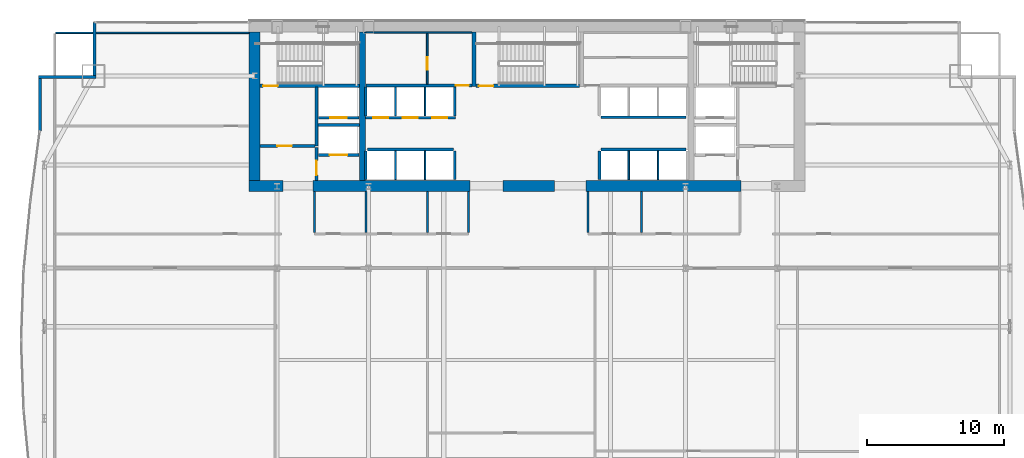
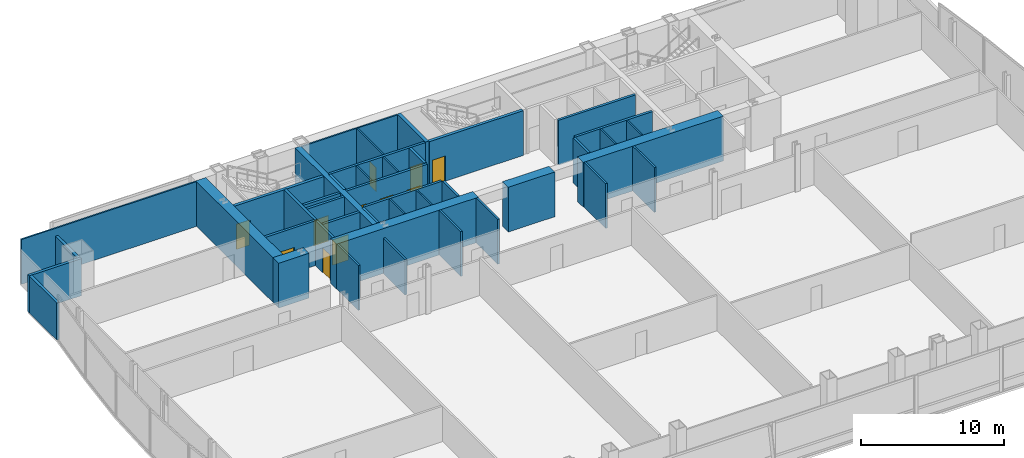
# One storey, part 30 of 35: 43 walls, 11 doors, 11 openings.
"""IFC4 building model written with IfcOpenShell, lengths in metres."""

import ifcopenshell
import ifcopenshell.guid

model = None  # the IFC model being written
_history = None  # IfcOwnerHistory: only IFC2X3 demands one
_inside = {}  # id of a spatial element -> (the spatial element, [elements in it])
_under = {}  # id of a project, library or spatial element -> (it, [spatial elements below it])
_declared = {}  # id of a project -> (the project, [libraries it declares])
_typed = {}  # id of a type object -> (the type object, [elements of that type])
_made_of = {}  # id of a material, layer set ... -> (it, [elements and type objects made of it])


def new_model(schema):
    """Start an empty IFC model of exactly this schema.

    Asked for "IFC4X3", IfcOpenShell would pick the latest addendum, in which some entities
    have other attributes; the version numbers below select the first issue.
    IFC2X3 requires an IfcOwnerHistory on every rooted entity: one is made here for all.
    """
    global model, _history
    if schema == "IFC4X3":
        model = ifcopenshell.file(schema_version=(4, 3, 0, 0))
    else:
        model = ifcopenshell.file(schema=schema)
    _inside.clear()
    _under.clear()
    _declared.clear()
    _typed.clear()
    _made_of.clear()
    _history = None
    if model.schema == "IFC2X3":
        org = make("IfcOrganization", Name="unknown")
        user = make(
            "IfcPersonAndOrganization",
            ThePerson=make("IfcPerson", FamilyName="unknown"),
            TheOrganization=org,
        )
        app = make(
            "IfcApplication",
            ApplicationDeveloper=org,
            Version="unknown",
            ApplicationFullName="unknown",
            ApplicationIdentifier="unknown",
        )
        _history = make(
            "IfcOwnerHistory",
            OwningUser=user,
            OwningApplication=app,
            ChangeAction="ADDED",
            CreationDate=0,
        )
    return model


def make(cls, **values):
    """One entity of the class cls with the attributes given. An attribute that is None is left unset."""
    return model.create_entity(
        cls, **{name: value for name, value in values.items() if value is not None}
    )


def rooted(cls, **values):
    """An entity with a GlobalId (a new one), such as an element, a storey or a relation."""
    return make(cls, GlobalId=ifcopenshell.guid.new(), OwnerHistory=_history, **values)


def si_unit(unit_type, name, prefix=None):
    """IfcSIUnit, for example si_unit("LENGTHUNIT", "METRE", prefix="MILLI")."""
    return make("IfcSIUnit", UnitType=unit_type, Prefix=prefix, Name=name)


def assignment(units):
    """IfcUnitAssignment: the units of a project."""
    return None if units is None else make("IfcUnitAssignment", Units=units)


def point(xyz):
    """IfcCartesianPoint."""
    return None if xyz is None else make("IfcCartesianPoint", Coordinates=xyz)


def direction(xyz):
    """IfcDirection."""
    return None if xyz is None else make("IfcDirection", DirectionRatios=xyz)


def frame(location, z_axis=None, x_axis=None):
    """IfcAxis2Placement3D, a coordinate frame: its origin and axes. An axis left out is left unset."""
    return make(
        "IfcAxis2Placement3D",
        Location=point(location),
        Axis=direction(z_axis),
        RefDirection=direction(x_axis),
    )


def frame_2d(location, x_axis=None):
    """IfcAxis2Placement2D, a coordinate frame in the plane: its origin and x axis."""
    return make(
        "IfcAxis2Placement2D", Location=point(location), RefDirection=direction(x_axis)
    )


def origin():
    """The frame at (0, 0, 0) with its axes left unset."""
    return frame((0.0, 0.0, 0.0))


def place(relative_to, where):
    """IfcLocalPlacement: puts the frame where relative to a parent placement (None: the world)."""
    return make(
        "IfcLocalPlacement", PlacementRelTo=relative_to, RelativePlacement=where
    )


def context(
    kind, dimensions, precision=None, world=None, true_north=None, identifier=None
):
    """IfcGeometricRepresentationContext, for example the 3D "Model" context."""
    return make(
        "IfcGeometricRepresentationContext",
        ContextIdentifier=identifier,
        ContextType=kind,
        CoordinateSpaceDimension=dimensions,
        Precision=precision,
        WorldCoordinateSystem=world,
        TrueNorth=true_north,
    )


def subcontext(parent, identifier, kind, view, scale=None):
    """IfcGeometricRepresentationSubContext, for example "Body" below "Model"."""
    return make(
        "IfcGeometricRepresentationSubContext",
        ContextIdentifier=identifier,
        ContextType=kind,
        ParentContext=parent,
        TargetScale=scale,
        TargetView=view,
    )


def project(units=None, contexts=None):
    """IfcProject with its units and contexts."""
    return rooted(
        "IfcProject",
        Name="project",
        RepresentationContexts=contexts,
        UnitsInContext=assignment(units),
    )


def spatial(cls, under=None, at=None, **own):
    """A site, building, storey or space (cls), placed at a placement, below another one or the project."""
    s = rooted(cls, ObjectPlacement=at, **own)
    if under is not None:
        _under.setdefault(under.id(), (under, []))[1].append(s)
    return s


def profile(cls, at=None, kind="AREA", **sizes):
    """A parametric profile (cls). Its sizes go by their IFC names, for example OverallWidth=200.0."""
    return make(cls, ProfileType=kind, Position=at, **sizes)


def rectangle(**sizes):
    """IfcRectangleProfileDef."""
    return profile("IfcRectangleProfileDef", **sizes)


def extrude(swept, where, along, depth):
    """IfcExtrudedAreaSolid: the profile swept, set in the frame where, extruded along a direction by depth."""
    return make(
        "IfcExtrudedAreaSolid",
        SweptArea=swept,
        Position=where,
        ExtrudedDirection=direction(along),
        Depth=depth,
    )


def shape(context_of_items, identifier, shape_type, items):
    """IfcShapeRepresentation: the items that make up one representation, for example the "Body"."""
    return make(
        "IfcShapeRepresentation",
        ContextOfItems=context_of_items,
        RepresentationIdentifier=identifier,
        RepresentationType=shape_type,
        Items=items,
    )


def material(Name=None, Category=None):
    """IfcMaterial."""
    return make("IfcMaterial", Name=Name, Category=Category)


def layer(
    of_material, thickness, ventilated=None, Name=None, Category=None, Priority=None
):
    """IfcMaterialLayer: one layer of a wall or slab, of a material (None: an air gap)."""
    return make(
        "IfcMaterialLayer",
        Material=of_material,
        LayerThickness=thickness,
        IsVentilated=ventilated,
        Name=Name,
        Category=Category,
        Priority=Priority,
    )


def layer_set(layers, Name=None):
    """IfcMaterialLayerSet."""
    return make("IfcMaterialLayerSet", MaterialLayers=layers, LayerSetName=Name)


def made_of(thing, what):
    """Note that an element or type object is made of a material, layer set ...; save() writes the relation."""
    if what is not None:
        _made_of.setdefault(what.id(), (what, []))[1].append(thing)
    return thing


def type_object(cls, material=None, **own):
    """A type object (cls), such as IfcWallType, which elements share."""
    return made_of(rooted(cls, **own), material)


def element(
    cls,
    number,
    at=None,
    inside=None,
    cuts=None,
    type_object=None,
    material=None,
    context=None,
    identifier="Body",
    shape_type=None,
    held_by="IfcProductDefinitionShape",
    body=None,
    shapes=None,
    **own,
):
    """One element of the class cls, such as IfcWall. Its Tag is "e" and its number.

    at: its placement. inside: the storey or other place that contains it. cuts: it is an
    opening in that element (IfcRelVoidsElement). A single representation is given by context,
    identifier, shape_type and body (its items); several are given by shapes. held_by: the class
    of the entity that holds the representations. save() writes the other relations.
    """
    e = rooted(cls, Tag="e%d" % number, ObjectPlacement=at, **own)
    if body is not None:
        shapes = [shape(context, identifier, shape_type, body)]
    if shapes is not None:
        e.Representation = make(held_by, Representations=shapes)
    if inside is not None:
        _inside.setdefault(inside.id(), (inside, []))[1].append(e)
    if cuts is not None:
        rooted(
            "IfcRelVoidsElement", RelatingBuildingElement=cuts, RelatedOpeningElement=e
        )
    if type_object is not None:
        _typed.setdefault(type_object.id(), (type_object, []))[1].append(e)
    return made_of(e, material)


def fill(opening, filler):
    """IfcRelFillsElement: the door or window that sits in an opening."""
    return rooted(
        "IfcRelFillsElement",
        RelatingOpeningElement=opening,
        RelatedBuildingElement=filler,
    )


def aggregate(whole, parts):
    """IfcRelAggregates: a whole, such as a stair, and the parts it consists of."""
    return rooted("IfcRelAggregates", RelatingObject=whole, RelatedObjects=parts)


def save(model, path):
    """Write the relations noted so far, then the file.

    IfcRelAggregates (storeys below a building ...), IfcRelContainedInSpatialStructure (elements
    in a storey), IfcRelDefinesByType, IfcRelAssociatesMaterial and IfcRelDeclares: one each for
    every whole, place, type object, material and project.
    """
    for whole, parts in _under.values():
        aggregate(whole, parts)
    for where, things in _inside.values():
        rooted(
            "IfcRelContainedInSpatialStructure",
            RelatedElements=things,
            RelatingStructure=where,
        )
    for kind, things in _typed.values():
        rooted("IfcRelDefinesByType", RelatedObjects=things, RelatingType=kind)
    for what, things in _made_of.values():
        rooted("IfcRelAssociatesMaterial", RelatedObjects=things, RelatingMaterial=what)
    for by, libraries in _declared.values():
        rooted("IfcRelDeclares", RelatingContext=by, RelatedDefinitions=libraries)
    model.write(path)


model = new_model("IFC4")

# Units and contexts
model_context = context("Model", 3, precision=1e-05, world=origin(), true_north=direction((0.0, 1.0)))
body_context = subcontext(model_context, "Body", "Model", "MODEL_VIEW")
ifc_project = project(units=[si_unit("LENGTHUNIT", "METRE"), si_unit("AREAUNIT", "SQUARE_METRE"), si_unit("VOLUMEUNIT", "CUBIC_METRE"), si_unit("PLANEANGLEUNIT", "RADIAN"), si_unit("MASSUNIT", "GRAM", prefix="KILO")], contexts=[model_context])

# Site, building, storey
site_placement = place(None, origin())
site = spatial("IfcSite", under=ifc_project, at=site_placement, CompositionType="ELEMENT")
building_placement = place(site_placement, origin())
building = spatial("IfcBuilding", under=site, at=building_placement, Name="Khoronbel Lancet Exchange", CompositionType="ELEMENT")
storey_placement = place(building_placement, frame((0.0, 0.0, 69.800048828125)))
storey = spatial("IfcBuildingStorey", under=building, at=storey_placement, Name="L16", CompositionType="ELEMENT", Elevation=69.800048828125)

# Walls
ifc_material_1 = material(Name="Concrete C80/95", Category="concrete")
ifc_layer_1 = layer(ifc_material_1, 0.800048828125, Name="Concrete C80/95")
ifc_layer_set_1 = layer_set([ifc_layer_1], Name="Concrete C80/95")
wall_type_1 = type_object("IfcWallType", Name="WL-CW1", PredefinedType="SHEAR", material=ifc_layer_set_1)
wall_1_placement = place(storey_placement, frame((16.60009765625, 42.10009765625, 0.0), z_axis=(0.0, 0.0, 1.0), x_axis=(0.0, 1.0, 0.0)))
element("IfcWall", 1, at=wall_1_placement, inside=storey, type_object=wall_type_1, Name="Level L16 rear core west shear wall", PredefinedType="SHEAR", context=body_context, shape_type="SweptSolid", body=[
    extrude(rectangle(XDim=10.7998046875, YDim=0.800048828125, at=frame_2d((5.39990234375, 0.0))), origin(), (0.0, 0.0, 1.0), 3.820068359375),
])
wall_2_placement = place(storey_placement, frame((18.64990234375, 41.699951171875, 0.0), z_axis=(0.0, 0.0, 1.0), x_axis=(-1.0, 0.0, 0.0)))
element("IfcWall", 2, at=wall_2_placement, inside=storey, type_object=wall_type_1, Name="Level L16 rear core south shear wall pier P1", PredefinedType="SHEAR", context=body_context, shape_type="SweptSolid", body=[
    extrude(rectangle(XDim=2.449951171875, YDim=0.800048828125, at=frame_2d((1.22509765625, 0.0))), origin(), (0.0, 0.0, 1.0), 3.820068359375),
])
wall_3_placement = place(storey_placement, frame((32.300048828125, 41.699951171875, 0.0), z_axis=(0.0, 0.0, 1.0), x_axis=(-1.0, 0.0, 0.0)))
element("IfcWall", 3, at=wall_3_placement, inside=storey, type_object=wall_type_1, Name="Level L16 rear core south shear wall pier P2", PredefinedType="SHEAR", context=body_context, shape_type="SweptSolid", body=[
    extrude(rectangle(XDim=11.449951171875, YDim=0.800048828125, at=frame_2d((5.72509765625, 0.0))), origin(), (0.0, 0.0, 1.0), 3.820068359375),
])
wall_4_placement = place(storey_placement, frame((38.449951171875, 41.699951171875, 0.0), z_axis=(0.0, 0.0, 1.0), x_axis=(-1.0, 0.0, 0.0)))
element("IfcWall", 4, at=wall_4_placement, inside=storey, type_object=wall_type_1, Name="Level L16 rear core south shear wall pier P3", PredefinedType="SHEAR", context=body_context, shape_type="SweptSolid", body=[
    extrude(rectangle(XDim=3.75, YDim=0.800048828125, at=frame_2d((1.875, 0.0))), origin(), (0.0, 0.0, 1.0), 3.820068359375),
])
wall_5_placement = place(storey_placement, frame((52.050048828125, 41.699951171875, 0.0), z_axis=(0.0, 0.0, 1.0), x_axis=(-1.0, 0.0, 0.0)))
element("IfcWall", 5, at=wall_5_placement, inside=storey, type_object=wall_type_1, Name="Level L16 rear core south shear wall pier P4", PredefinedType="SHEAR", context=body_context, shape_type="SweptSolid", body=[
    extrude(rectangle(XDim=11.300048828125, YDim=0.800048828125, at=frame_2d((5.64990234375, 0.0))), origin(), (0.0, 0.0, 1.0), 3.820068359375),
])
ifc_material_2 = material(Name="Precast concrete C40/50", Category="concrete")
ifc_layer_2 = layer(ifc_material_2, 0.25, Name="Precast concrete C40/50")
ifc_layer_set_2 = layer_set([ifc_layer_2], Name="Precast concrete C40/50")
wall_type_2 = type_object("IfcWallType", Name="WL-EXT250", PredefinedType="SOLIDWALL", material=ifc_layer_set_2)
wall_6_placement = place(storey_placement, frame((0.93994140625, 45.674072265625, 0.0), z_axis=(0.0, 0.0, 1.0), x_axis=(0.0, 1.0, 0.0)))
element("IfcWall", 6, at=wall_6_placement, inside=storey, type_object=wall_type_2, Name="Level L16 notched-corner limestone pier 10", PredefinedType="SOLIDWALL", context=body_context, shape_type="SweptSolid", body=[
    extrude(rectangle(XDim=3.825927734375, YDim=0.219970703125, at=frame_2d((1.9130859375, 0.0))), origin(), (0.0, 0.0, 1.0), 3.159912109375),
])
wall_7_placement = place(storey_placement, frame((0.830078125, 49.610107421875, 0.0), z_axis=(0.0, 0.0, 1.0), x_axis=(1.0, 0.0, 0.0)))
element("IfcWall", 7, at=wall_7_placement, inside=storey, type_object=wall_type_2, Name="Level L16 notched-corner limestone pier 11", PredefinedType="SOLIDWALL", context=body_context, shape_type="SweptSolid", body=[
    extrude(rectangle(XDim=4.219970703125, YDim=0.219970703125, at=frame_2d((2.10986328125, 0.0))), origin(), (0.0, 0.0, 1.0), 3.159912109375),
])
wall_8_placement = place(storey_placement, frame((4.93994140625, 49.719970703125, 0.0), z_axis=(0.0, 0.0, 1.0), x_axis=(0.0, 1.0, 0.0)))
element("IfcWall", 8, at=wall_8_placement, inside=storey, type_object=wall_type_2, Name="Level L16 notched-corner limestone pier 12", PredefinedType="SOLIDWALL", context=body_context, shape_type="SweptSolid", body=[
    extrude(rectangle(XDim=3.909912109375, YDim=0.219970703125, at=frame_2d((1.955078125, 0.0))), origin(), (0.0, 0.0, 1.0), 3.159912109375),
])
ifc_material_3 = material(Name="Acoustic Metal-Stud & Mineral-Wool Gypsum Partition 120 mm", Category="gypsum")
ifc_layer_3 = layer(ifc_material_3, 0.1201171875, Name="Acoustic Metal-Stud & Mineral-Wool Gypsum Partition 120 mm")
ifc_layer_set_3 = layer_set([ifc_layer_3], Name="Acoustic Metal-Stud & Mineral-Wool Gypsum Partition 120 mm")
wall_type_3 = type_object("IfcWallType", Name="WL-PRT120", PredefinedType="PARTITIONING", material=ifc_layer_set_3)
wall_9_placement = place(storey_placement, frame((20.949951171875, 38.280029296875, 0.0), z_axis=(0.0, 0.0, 1.0), x_axis=(0.0, 1.0, 0.0)))
element("IfcWall", 9, at=wall_9_placement, inside=storey, type_object=wall_type_3, Name="Level L16 interior partition PW-WC-0", PredefinedType="PARTITIONING", context=body_context, shape_type="SweptSolid", body=[
    extrude(rectangle(XDim=3.02001953125, YDim=0.14990234375, at=frame_2d((1.510009765625, 0.0))), origin(), (0.0, 0.0, 1.0), 3.820068359375),
])
wall_10_placement = place(storey_placement, frame((24.699951171875, 38.280029296875, 0.0), z_axis=(0.0, 0.0, 1.0), x_axis=(0.0, 1.0, 0.0)))
element("IfcWall", 10, at=wall_10_placement, inside=storey, type_object=wall_type_3, Name="Level L16 interior partition PW-WC-1", PredefinedType="PARTITIONING", context=body_context, shape_type="SweptSolid", body=[
    extrude(rectangle(XDim=3.02001953125, YDim=0.14990234375, at=frame_2d((1.510009765625, 0.0))), origin(), (0.0, 0.0, 1.0), 3.010009765625),
])
for number, where, z_axis, x_axis, name in (
    (11, (29.199951171875, 38.280029296875, 0.0), (0.0, 0.0, 1.0), (0.0, 1.0, 0.0), "Level L16 interior partition PW-WC-2"),
    (12, (32.179931640625, 38.280029296875, 0.0), (0.0, 0.0, 1.0), (0.0, 1.0, 0.0), "Level L16 interior partition PW-WC-3"),
    (13, (40.8798828125, 38.280029296875, 0.0), (0.0, 0.0, 1.0), (0.0, 1.0, 0.0), "Level L16 interior partition PW-NP-0"),
    (14, (44.800048828125, 38.280029296875, 0.0), (0.0, 0.0, 1.0), (0.0, 1.0, 0.0), "Level L16 interior partition PW-NP-M"),
):
    element("IfcWall", number, at=place(storey_placement, frame(where, z_axis=z_axis, x_axis=x_axis)), inside=storey, type_object=wall_type_3, Name=name, PredefinedType="PARTITIONING", context=body_context, shape_type="SweptSolid", body=[
        extrude(rectangle(XDim=3.02001953125, YDim=0.14990234375, at=frame_2d((1.510009765625, 0.0))), origin(), (0.0, 0.0, 1.0), 3.820068359375),
    ])
wall_11_placement = place(storey_placement, frame((2.094970703125, 52.840087890625, 0.0), z_axis=(0.0, 0.0, 1.0), x_axis=(1.0, 0.0, 0.0)))
element("IfcWall", 15, at=wall_11_placement, inside=storey, type_object=wall_type_3, Name="Level L16 interior partition PW-LIN-NW", PredefinedType="PARTITIONING", context=body_context, shape_type="SweptSolid", body=[
    extrude(rectangle(XDim=14.10498046875, YDim=0.1201171875, at=frame_2d((7.052490234375, 0.0))), origin(), (0.0, 0.0, 1.0), 3.820068359375),
])
ifc_material_4 = material(Name="Fire-Rated Metal-Stud & Mineral-Wool Gypsum Partition 120 mm", Category="gypsum")
ifc_layer_4 = layer(ifc_material_4, 0.1201171875, Name="Fire-Rated Metal-Stud & Mineral-Wool Gypsum Partition 120 mm")
ifc_layer_set_4 = layer_set([ifc_layer_4], Name="Fire-Rated Metal-Stud & Mineral-Wool Gypsum Partition 120 mm")
wall_type_4 = type_object("IfcWallType", Name="WL-PRT120F", PredefinedType="PARTITIONING", material=ifc_layer_set_4)
for number, where, z_axis, x_axis, name in (
    (16, (26.860107421875, 46.800048828125, 0.0), (0.0, 0.0, 1.0), (0.0, 1.0, 0.0), "Level L16 interior partition CW-PL-D1"),
    (17, (29.02001953125, 46.800048828125, 0.0), (0.0, 0.0, 1.0), (0.0, 1.0, 0.0), "Level L16 interior partition CW-PL-D2"),
):
    element("IfcWall", number, at=place(storey_placement, frame(where, z_axis=z_axis, x_axis=x_axis)), inside=storey, type_object=wall_type_4, Name=name, PredefinedType="PARTITIONING", context=body_context, shape_type="SweptSolid", body=[
        extrude(rectangle(XDim=2.094970703125, YDim=0.1201171875, at=frame_2d((1.04736328125, 0.0))), origin(), (0.0, 0.0, 1.0), 3.820068359375),
    ])
for number, where, z_axis, x_axis, name in (
    (18, (26.860107421875, 42.14990234375, 0.0), (0.0, 0.0, 1.0), (0.0, 1.0, 0.0), "Level L16 interior partition CW-PM-D1"),
    (19, (29.02001953125, 42.14990234375, 0.0), (0.0, 0.0, 1.0), (0.0, 1.0, 0.0), "Level L16 interior partition CW-PM-D2"),
    (20, (43.860107421875, 42.14990234375, 0.0), (0.0, 0.0, 1.0), (0.0, 1.0, 0.0), "Level L16 interior partition CW-PX-D1"),
    (21, (46.0, 42.14990234375, 0.0), (0.0, 0.0, 1.0), (0.0, 1.0, 0.0), "Level L16 interior partition CW-PX-D2"),
):
    element("IfcWall", number, at=place(storey_placement, frame(where, z_axis=z_axis, x_axis=x_axis)), inside=storey, type_object=wall_type_4, Name=name, PredefinedType="PARTITIONING", context=body_context, shape_type="SweptSolid", body=[
        extrude(rectangle(XDim=2.09521484375, YDim=0.1201171875, at=frame_2d((1.047607421875, 0.0))), origin(), (0.0, 0.0, 1.0), 3.820068359375),
    ])
wall_12_placement = place(storey_placement, frame((24.699951171875, 52.860107421875, 0.0), z_axis=(0.0, 0.0, 1.0), x_axis=(1.0, 0.0, 0.0)))
element("IfcWall", 22, at=wall_12_placement, inside=storey, type_object=wall_type_4, Name="Level L16 interior partition CW-SUP-NW-N", PredefinedType="PARTITIONING", context=body_context, shape_type="SweptSolid", body=[
    extrude(rectangle(XDim=7.719970703125, YDim=0.1201171875, at=frame_2d((3.85986328125, 0.0))), origin(), (0.0, 0.0, 1.0), 3.820068359375),
])

# Wall, opening, door
wall_13_placement = place(storey_placement, frame((29.177490234375, 49.10498046875, 0.0), z_axis=(0.0, 0.0, 1.0), x_axis=(0.0, 1.0, 0.0)))
wall_13 = element("IfcWall", 23, at=wall_13_placement, inside=storey, type_object=wall_type_4, Name="Level L16 interior partition CW-SUP-NW-M", PredefinedType="PARTITIONING", context=body_context, shape_type="SweptSolid", body=[
    extrude(rectangle(XDim=3.68994140625, YDim=0.1201171875, at=frame_2d((1.844970703125, 0.0))), origin(), (0.0, 0.0, 1.0), 3.820068359375),
])
opening_1_placement = place(wall_13_placement, frame((1.050048828125, 0.0, 0.0)))
opening_1 = element("IfcOpeningElement", 24, at=opening_1_placement, cuts=wall_13, Name="Opening FD4", PredefinedType="OPENING", context=body_context, shape_type="SweptSolid", body=[
    extrude(rectangle(XDim=0.89990234375, YDim=2.050048828125, at=frame_2d((0.449951171875, 1.02490234375))), frame((0.0, 0.070068359375, 0.0), z_axis=(0.0, -1.0, 0.0), x_axis=(1.0, 0.0, 0.0)), (0.0, 0.0, 1.0), 0.14013671875),
])
ifc_material_5 = material(Name="Fire-Rated Steel Core Support Door Assembly", Category="steel")
door_type_1 = type_object("IfcDoorType", Name="DR-FD4", OperationType="NOTDEFINED", PredefinedType="DOOR", material=ifc_material_5)
door_1_placement = place(opening_1_placement, origin())
door_1 = element("IfcDoor", 25, at=door_1_placement, inside=storey, type_object=door_type_1, Name="Core NW inner support door L16-1", OperationType="SINGLE_SWING_RIGHT", OverallHeight=2.050048828125, OverallWidth=0.89990234375, PredefinedType="DOOR", context=body_context, shape_type="SweptSolid", body=[
    extrude(rectangle(XDim=0.89990234375, YDim=2.050048828125, at=frame_2d((0.449951171875, 1.02490234375))), frame((0.0, 0.02490234375, 0.0), z_axis=(0.0, -1.0, 0.0), x_axis=(1.0, 0.0, 0.0)), (0.0, 0.0, 1.0), 0.050048828125),
])
fill(opening_1, door_1)

ifc_material_6 = material(Name="Autoclaved Aerated Concrete Blockwork 200 mm", Category="masonry")
ifc_layer_5 = layer(ifc_material_6, 0.199951171875, Name="Autoclaved Aerated Concrete Blockwork 200 mm")
ifc_layer_set_5 = layer_set([ifc_layer_5], Name="Autoclaved Aerated Concrete Blockwork 200 mm")
wall_type_5 = type_object("IfcWallType", Name="WL-PRT200", PredefinedType="PARTITIONING", material=ifc_layer_set_5)
wall_14_placement = place(storey_placement, frame((24.2099609375, 43.949951171875, 0.0), z_axis=(0.0, 0.0, 1.0), x_axis=(-1.0, 0.0, 0.0)))
wall_14 = element("IfcWall", 26, at=wall_14_placement, inside=storey, type_object=wall_type_5, Name="Level L16 elevator hoistway landing front wall SVLW", PredefinedType="PARTITIONING", context=body_context, shape_type="SweptSolid", body=[
    extrude(rectangle(XDim=2.969970703125, YDim=0.199951171875, at=frame_2d((1.48486328125, 0.0))), origin(), (0.0, 0.0, 1.0), 3.820068359375),
])
opening_2_placement = place(wall_14_placement, frame((0.860107421875, 0.0, 0.0)))
opening_2 = element("IfcOpeningElement", 27, at=opening_2_placement, cuts=wall_14, Name="Opening LD-SVL1", PredefinedType="OPENING", context=body_context, shape_type="SweptSolid", body=[
    extrude(rectangle(XDim=1.300048828125, YDim=2.179931640625, at=frame_2d((0.64990234375, 1.08984375))), frame((0.0, 0.10986328125, 0.0), z_axis=(0.0, -1.0, 0.0), x_axis=(1.0, 0.0, 0.0)), (0.0, 0.0, 1.0), 0.219970703125),
])
ifc_material_7 = material(Name="Heavy-Duty Bi-Parting Goods Lift Landing Door", Category="steel")
door_type_2 = type_object("IfcDoorType", Name="DR-LD-SVL", OperationType="NOTDEFINED", PredefinedType="DOOR", material=ifc_material_7)
door_2_placement = place(opening_2_placement, origin())
door_2 = element("IfcDoor", 28, at=door_2_placement, inside=storey, type_object=door_type_2, Name="Elevator landing sliding door LD-SVL1 L16", OperationType="SLIDING_TO_LEFT", OverallHeight=2.179931640625, OverallWidth=1.300048828125, PredefinedType="DOOR", context=body_context, shape_type="SweptSolid", body=[
    extrude(rectangle(XDim=1.300048828125, YDim=2.179931640625, at=frame_2d((0.64990234375, 1.08984375))), frame((0.0, 0.02490234375, 0.0), z_axis=(0.0, -1.0, 0.0), x_axis=(1.0, 0.0, 0.0)), (0.0, 0.0, 1.0), 0.050048828125),
])
fill(opening_2, door_2)

wall_15_placement = place(storey_placement, frame((24.2099609375, 46.64990234375, 0.0), z_axis=(0.0, 0.0, 1.0), x_axis=(-1.0, 0.0, 0.0)))
wall_15 = element("IfcWall", 29, at=wall_15_placement, inside=storey, type_object=wall_type_5, Name="Level L16 elevator hoistway landing front wall FFLW", PredefinedType="PARTITIONING", context=body_context, shape_type="SweptSolid", body=[
    extrude(rectangle(XDim=2.969970703125, YDim=0.199951171875, at=frame_2d((1.48486328125, 0.0))), origin(), (0.0, 0.0, 1.0), 3.820068359375),
])
opening_3_placement = place(wall_15_placement, frame((0.909912109375, 0.0, 0.0)))
opening_3 = element("IfcOpeningElement", 30, at=opening_3_placement, cuts=wall_15, Name="Opening LD-FFL1", PredefinedType="OPENING", context=body_context, shape_type="SweptSolid", body=[
    extrude(rectangle(XDim=1.199951171875, YDim=2.179931640625, at=frame_2d((0.60009765625, 1.08984375))), frame((0.0, 0.10986328125, 0.0), z_axis=(0.0, -1.0, 0.0), x_axis=(1.0, 0.0, 0.0)), (0.0, 0.0, 1.0), 0.219970703125),
])
ifc_material_8 = material(Name="Fire-Rated Stainless Bi-Parting Firefighting Lift Door", Category="steel")
door_type_3 = type_object("IfcDoorType", Name="DR-LD-FFL", OperationType="NOTDEFINED", PredefinedType="DOOR", material=ifc_material_8)
door_3_placement = place(opening_3_placement, origin())
door_3 = element("IfcDoor", 31, at=door_3_placement, inside=storey, type_object=door_type_3, Name="Elevator landing sliding door LD-FFL1 L16", OperationType="SLIDING_TO_LEFT", OverallHeight=2.179931640625, OverallWidth=1.199951171875, PredefinedType="DOOR", context=body_context, shape_type="SweptSolid", body=[
    extrude(rectangle(XDim=1.199951171875, YDim=2.179931640625, at=frame_2d((0.60009765625, 1.08984375))), frame((0.0, 0.02490234375, 0.0), z_axis=(0.0, -1.0, 0.0), x_axis=(1.0, 0.0, 0.0)), (0.0, 0.0, 1.0), 0.050048828125),
])
fill(opening_3, door_3)

# Wall, openings, doors
wall_16_placement = place(storey_placement, frame((31.219970703125, 46.64990234375, 0.0), z_axis=(0.0, 0.0, 1.0), x_axis=(-1.0, 0.0, 0.0)))
wall_16 = element("IfcWall", 32, at=wall_16_placement, inside=storey, type_object=wall_type_5, Name="Level L16 elevator hoistway landing front wall PLW", PredefinedType="PARTITIONING", context=body_context, shape_type="SweptSolid", body=[
    extrude(rectangle(XDim=6.530029296875, YDim=0.199951171875, at=frame_2d((3.26513671875, 0.0))), origin(), (0.0, 0.0, 1.0), 3.820068359375),
])
opening_4_placement = place(wall_16_placement, frame((4.89990234375, 0.0, 0.0)))
opening_4 = element("IfcOpeningElement", 33, at=opening_4_placement, cuts=wall_16, Name="Opening LD-PL1", PredefinedType="OPENING", context=body_context, shape_type="SweptSolid", body=[
    extrude(rectangle(XDim=1.10009765625, YDim=2.179931640625, at=frame_2d((0.550048828125, 1.08984375))), frame((0.0, 0.10986328125, 0.0), z_axis=(0.0, -1.0, 0.0), x_axis=(1.0, 0.0, 0.0)), (0.0, 0.0, 1.0), 0.219970703125),
])
opening_5_placement = place(wall_16_placement, frame((2.739990234375, 0.0, 0.0)))
opening_5 = element("IfcOpeningElement", 34, at=opening_5_placement, cuts=wall_16, Name="Opening LD-PL2", PredefinedType="OPENING", context=body_context, shape_type="SweptSolid", body=[
    extrude(rectangle(XDim=1.10009765625, YDim=2.179931640625, at=frame_2d((0.550048828125, 1.08984375))), frame((0.0, 0.10986328125, 0.0), z_axis=(0.0, -1.0, 0.0), x_axis=(1.0, 0.0, 0.0)), (0.0, 0.0, 1.0), 0.219970703125),
])
opening_6_placement = place(wall_16_placement, frame((0.580078125, 0.0, 0.0)))
opening_6 = element("IfcOpeningElement", 35, at=opening_6_placement, cuts=wall_16, Name="Opening LD-PL3", PredefinedType="OPENING", context=body_context, shape_type="SweptSolid", body=[
    extrude(rectangle(XDim=1.10009765625, YDim=2.179931640625, at=frame_2d((0.550048828125, 1.08984375))), frame((0.0, 0.10986328125, 0.0), z_axis=(0.0, -1.0, 0.0), x_axis=(1.0, 0.0, 0.0)), (0.0, 0.0, 1.0), 0.219970703125),
])
ifc_material_9 = material(Name="Brushed Bronze Bi-Parting Elevator Landing Door", Category="steel")
door_type_4 = type_object("IfcDoorType", Name="DR-LD-PAX", OperationType="NOTDEFINED", PredefinedType="DOOR", material=ifc_material_9)
door_4_placement = place(opening_4_placement, origin())
door_4 = element("IfcDoor", 36, at=door_4_placement, inside=storey, type_object=door_type_4, Name="Elevator landing sliding door LD-PL1 L16", OperationType="SLIDING_TO_LEFT", OverallHeight=2.179931640625, OverallWidth=1.10009765625, PredefinedType="DOOR", context=body_context, shape_type="SweptSolid", body=[
    extrude(rectangle(XDim=1.10009765625, YDim=2.179931640625, at=frame_2d((0.550048828125, 1.08984375))), frame((0.0, 0.02490234375, 0.0), z_axis=(0.0, -1.0, 0.0), x_axis=(1.0, 0.0, 0.0)), (0.0, 0.0, 1.0), 0.050048828125),
])
fill(opening_4, door_4)
door_5_placement = place(opening_5_placement, origin())
door_5 = element("IfcDoor", 37, at=door_5_placement, inside=storey, type_object=door_type_4, Name="Elevator landing sliding door LD-PL2 L16", OperationType="SLIDING_TO_LEFT", OverallHeight=2.179931640625, OverallWidth=1.10009765625, PredefinedType="DOOR", context=body_context, shape_type="SweptSolid", body=[
    extrude(rectangle(XDim=1.10009765625, YDim=2.179931640625, at=frame_2d((0.550048828125, 1.08984375))), frame((0.0, 0.02490234375, 0.0), z_axis=(0.0, -1.0, 0.0), x_axis=(1.0, 0.0, 0.0)), (0.0, 0.0, 1.0), 0.050048828125),
])
fill(opening_5, door_5)
door_6_placement = place(opening_6_placement, origin())
door_6 = element("IfcDoor", 38, at=door_6_placement, inside=storey, type_object=door_type_4, Name="Elevator landing sliding door LD-PL3 L16", OperationType="SLIDING_TO_LEFT", OverallHeight=2.179931640625, OverallWidth=1.10009765625, PredefinedType="DOOR", context=body_context, shape_type="SweptSolid", body=[
    extrude(rectangle(XDim=1.10009765625, YDim=2.179931640625, at=frame_2d((0.550048828125, 1.08984375))), frame((0.0, 0.02490234375, 0.0), z_axis=(0.0, -1.0, 0.0), x_axis=(1.0, 0.0, 0.0)), (0.0, 0.0, 1.0), 0.050048828125),
])
fill(opening_6, door_6)

# Wall
wall_17_placement = place(storey_placement, frame((21.10009765625, 44.60009765625, 0.0), z_axis=(0.0, 0.0, 1.0), x_axis=(0.0, 1.0, 0.0)))
element("IfcWall", 39, at=wall_17_placement, inside=storey, type_object=wall_type_5, Name="Level L16 interior partition CW-FFLW-E", PredefinedType="PARTITIONING", context=body_context, shape_type="SweptSolid", body=[
    extrude(rectangle(XDim=4.2998046875, YDim=0.199951171875, at=frame_2d((2.14990234375, 0.0))), origin(), (0.0, 0.0, 1.0), 3.820068359375),
])

# Wall, opening, door
wall_18_placement = place(storey_placement, frame((17.0, 44.60009765625, 0.0), z_axis=(0.0, 0.0, 1.0), x_axis=(1.0, 0.0, 0.0)))
wall_18 = element("IfcWall", 40, at=wall_18_placement, inside=storey, type_object=wall_type_5, Name="Level L16 interior partition CW-FFLW-S", PredefinedType="PARTITIONING", context=body_context, shape_type="SweptSolid", body=[
    extrude(rectangle(XDim=4.0, YDim=0.199951171875, at=frame_2d((2.0, 0.0))), origin(), (0.0, 0.0, 1.0), 3.820068359375),
])
opening_7_placement = place(wall_18_placement, frame((1.25, 0.0, 0.0)))
opening_7 = element("IfcOpeningElement", 41, at=opening_7_placement, cuts=wall_18, Name="Opening FD1", PredefinedType="OPENING", context=body_context, shape_type="SweptSolid", body=[
    extrude(rectangle(XDim=1.050048828125, YDim=2.14990234375, at=frame_2d((0.52490234375, 1.074951171875))), frame((0.0, 0.10986328125, 0.0), z_axis=(0.0, -1.0, 0.0), x_axis=(1.0, 0.0, 0.0)), (0.0, 0.0, 1.0), 0.219970703125),
])
ifc_material_10 = material(Name="Fire-Rated Painted Steel Door Assembly", Category="steel")
door_type_5 = type_object("IfcDoorType", Name="DR-FD1", OperationType="NOTDEFINED", PredefinedType="DOOR", material=ifc_material_10)
door_7_placement = place(opening_7_placement, origin())
door_7 = element("IfcDoor", 42, at=door_7_placement, inside=storey, type_object=door_type_5, Name="West firefighting lobby FD90S door L16-1", OperationType="SINGLE_SWING_LEFT", OverallHeight=2.14990234375, OverallWidth=1.050048828125, PredefinedType="DOOR", context=body_context, shape_type="SweptSolid", body=[
    extrude(rectangle(XDim=1.050048828125, YDim=2.14990234375, at=frame_2d((0.52490234375, 1.074951171875))), frame((0.0, 0.02490234375, 0.0), z_axis=(0.0, -1.0, 0.0), x_axis=(1.0, 0.0, 0.0)), (0.0, 0.0, 1.0), 0.050048828125),
])
fill(opening_7, door_7)

# Wall
wall_19_placement = place(storey_placement, frame((21.199951171875, 46.1201171875, 0.0), z_axis=(0.0, 0.0, 1.0), x_axis=(1.0, 0.0, 0.0)))
element("IfcWall", 43, at=wall_19_placement, inside=storey, type_object=wall_type_5, Name="Level L16 interior partition CW-FFL1-S", PredefinedType="PARTITIONING", context=body_context, shape_type="SweptSolid", body=[
    extrude(rectangle(XDim=3.02001953125, YDim=0.199951171875, at=frame_2d((1.510009765625, 0.0))), origin(), (0.0, 0.0, 1.0), 3.820068359375),
])

# Wall, opening, door
wall_20_placement = place(storey_placement, frame((21.10009765625, 42.10009765625, 0.0), z_axis=(0.0, 0.0, 1.0), x_axis=(0.0, 1.0, 0.0)))
wall_20 = element("IfcWall", 44, at=wall_20_placement, inside=storey, type_object=wall_type_5, Name="Level L16 interior partition CW-SVLW-W", PredefinedType="PARTITIONING", context=body_context, shape_type="SweptSolid", body=[
    extrude(rectangle(XDim=2.39501953125, YDim=0.199951171875, at=frame_2d((1.197509765625, 0.0))), origin(), (0.0, 0.0, 1.0), 3.820068359375),
])
opening_8_placement = place(wall_20_placement, frame((0.3798828125, 0.0, 0.0)))
opening_8 = element("IfcOpeningElement", 45, at=opening_8_placement, cuts=wall_20, Name="Opening FD1", PredefinedType="OPENING", context=body_context, shape_type="SweptSolid", body=[
    extrude(rectangle(XDim=1.050048828125, YDim=2.14990234375, at=frame_2d((0.52490234375, 1.074951171875))), frame((0.0, 0.10986328125, 0.0), z_axis=(0.0, -1.0, 0.0), x_axis=(1.0, 0.0, 0.0)), (0.0, 0.0, 1.0), 0.219970703125),
])
door_8_placement = place(opening_8_placement, origin())
door_8 = element("IfcDoor", 46, at=door_8_placement, inside=storey, type_object=door_type_5, Name="West service lift lobby door L16-1", OperationType="SINGLE_SWING_RIGHT", OverallHeight=2.14990234375, OverallWidth=1.050048828125, PredefinedType="DOOR", context=body_context, shape_type="SweptSolid", body=[
    extrude(rectangle(XDim=1.050048828125, YDim=2.14990234375, at=frame_2d((0.52490234375, 1.074951171875))), frame((0.0, 0.02490234375, 0.0), z_axis=(0.0, -1.0, 0.0), x_axis=(1.0, 0.0, 0.0)), (0.0, 0.0, 1.0), 0.050048828125),
])
fill(opening_8, door_8)

# Walls
for number, where, z_axis, x_axis, name in (
    (47, (24.699951171875, 46.800048828125, 0.0), (0.0, 0.0, 1.0), (0.0, 1.0, 0.0), "Level L16 interior partition CW-PL-W"),
    (48, (31.179931640625, 46.800048828125, 0.0), (0.0, 0.0, 1.0), (0.0, 1.0, 0.0), "Level L16 interior partition CW-PL-E"),
):
    element("IfcWall", number, at=place(storey_placement, frame(where, z_axis=z_axis, x_axis=x_axis)), inside=storey, type_object=wall_type_5, Name=name, PredefinedType="PARTITIONING", context=body_context, shape_type="SweptSolid", body=[
        extrude(rectangle(XDim=2.094970703125, YDim=0.199951171875, at=frame_2d((1.04736328125, 0.0))), origin(), (0.0, 0.0, 1.0), 3.820068359375),
    ])
wall_21_placement = place(storey_placement, frame((24.804931640625, 44.35009765625, 0.0), z_axis=(0.0, 0.0, 1.0), x_axis=(1.0, 0.0, 0.0)))
element("IfcWall", 49, at=wall_21_placement, inside=storey, type_object=wall_type_5, Name="Level L16 interior partition CW-PM-EXP", PredefinedType="PARTITIONING", context=body_context, shape_type="SweptSolid", body=[
    extrude(rectangle(XDim=6.27001953125, YDim=0.199951171875, at=frame_2d((3.135009765625, 0.0))), origin(), (0.0, 0.0, 1.0), 3.820068359375),
])
for number, where, z_axis, x_axis, name in (
    (50, (24.699951171875, 42.14990234375, 0.0), (0.0, 0.0, 1.0), (0.0, 1.0, 0.0), "Level L16 interior partition CW-PM-W"),
    (51, (31.179931640625, 42.14990234375, 0.0), (0.0, 0.0, 1.0), (0.0, 1.0, 0.0), "Level L16 interior partition CW-PM-E"),
):
    element("IfcWall", number, at=place(storey_placement, frame(where, z_axis=z_axis, x_axis=x_axis)), inside=storey, type_object=wall_type_5, Name=name, PredefinedType="PARTITIONING", context=body_context, shape_type="SweptSolid", body=[
        extrude(rectangle(XDim=2.09521484375, YDim=0.199951171875, at=frame_2d((1.047607421875, 0.0))), origin(), (0.0, 0.0, 1.0), 3.820068359375),
    ])
for number, where, z_axis, x_axis, name in (
    (52, (41.824951171875, 46.699951171875, 0.0), (0.0, 0.0, 1.0), (1.0, 0.0, 0.0), "Level L16 interior partition CW-PH-EXP"),
    (53, (41.824951171875, 44.35009765625, 0.0), (0.0, 0.0, 1.0), (1.0, 0.0, 0.0), "Level L16 interior partition CW-PX-EXP"),
):
    element("IfcWall", number, at=place(storey_placement, frame(where, z_axis=z_axis, x_axis=x_axis)), inside=storey, type_object=wall_type_5, Name=name, PredefinedType="PARTITIONING", context=body_context, shape_type="SweptSolid", body=[
        extrude(rectangle(XDim=6.2099609375, YDim=0.199951171875, at=frame_2d((3.10498046875, 0.0))), origin(), (0.0, 0.0, 1.0), 3.820068359375),
    ])
wall_22_placement = place(storey_placement, frame((41.719970703125, 42.14990234375, 0.0), z_axis=(0.0, 0.0, 1.0), x_axis=(0.0, 1.0, 0.0)))
element("IfcWall", 54, at=wall_22_placement, inside=storey, type_object=wall_type_5, Name="Level L16 interior partition CW-PX-W", PredefinedType="PARTITIONING", context=body_context, shape_type="SweptSolid", body=[
    extrude(rectangle(XDim=2.09521484375, YDim=0.199951171875, at=frame_2d((1.047607421875, 0.0))), origin(), (0.0, 0.0, 1.0), 3.820068359375),
])

# Wall, opening, door
wall_23_placement = place(storey_placement, frame((24.699951171875, 49.0, 0.0), z_axis=(0.0, 0.0, 1.0), x_axis=(1.0, 0.0, 0.0)))
wall_23 = element("IfcWall", 55, at=wall_23_placement, inside=storey, type_object=wall_type_5, Name="Level L16 interior partition CW-SUP-NW-S", PredefinedType="PARTITIONING", context=body_context, shape_type="SweptSolid", body=[
    extrude(rectangle(XDim=7.719970703125, YDim=0.199951171875, at=frame_2d((3.85986328125, 0.0))), origin(), (0.0, 0.0, 1.0), 3.820068359375),
])
opening_9_placement = place(wall_23_placement, frame((6.56005859375, 0.0, 0.0)))
opening_9 = element("IfcOpeningElement", 56, at=opening_9_placement, cuts=wall_23, Name="Opening FD3", PredefinedType="OPENING", context=body_context, shape_type="SweptSolid", body=[
    extrude(rectangle(XDim=0.949951171875, YDim=2.10009765625, at=frame_2d((0.47509765625, 1.050048828125))), frame((0.0, 0.10986328125, 0.0), z_axis=(0.0, -1.0, 0.0), x_axis=(1.0, 0.0, 0.0)), (0.0, 0.0, 1.0), 0.219970703125),
])
ifc_material_11 = material(Name="Fire-Rated Steel Plant & Riser Door Assembly", Category="steel")
door_type_6 = type_object("IfcDoorType", Name="DR-FD3", OperationType="NOTDEFINED", PredefinedType="DOOR", material=ifc_material_11)
door_9_placement = place(opening_9_placement, origin())
door_9 = element("IfcDoor", 57, at=door_9_placement, inside=storey, type_object=door_type_6, Name="Core NW support room door L16-1", OperationType="SINGLE_SWING_LEFT", OverallHeight=2.10009765625, OverallWidth=0.949951171875, PredefinedType="DOOR", context=body_context, shape_type="SweptSolid", body=[
    extrude(rectangle(XDim=0.949951171875, YDim=2.10009765625, at=frame_2d((0.47509765625, 1.050048828125))), frame((0.0, 0.02490234375, 0.0), z_axis=(0.0, -1.0, 0.0), x_axis=(1.0, 0.0, 0.0)), (0.0, 0.0, 1.0), 0.050048828125),
])
fill(opening_9, door_9)

# Walls
ifc_layer_6 = layer(ifc_material_1, 0.449951171875, Name="Concrete C80/95")
ifc_layer_set_6 = layer_set([ifc_layer_6], Name="Concrete C80/95")
wall_type_6 = type_object("IfcWallType", Name="WL-SW1", PredefinedType="SHEAR", material=ifc_layer_set_6)
wall_24_placement = place(storey_placement, frame((24.449951171875, 42.10009765625, 0.0), z_axis=(0.0, 0.0, 1.0), x_axis=(0.0, 1.0, 0.0)))
element("IfcWall", 58, at=wall_24_placement, inside=storey, type_object=wall_type_6, Name="Level L16 rear core internal spine shear wall IW", PredefinedType="SHEAR", context=body_context, shape_type="SweptSolid", body=[
    extrude(rectangle(XDim=10.7998046875, YDim=0.449951171875, at=frame_2d((5.39990234375, 0.0))), origin(), (0.0, 0.0, 1.0), 3.820068359375),
])
ifc_material_12 = material(Name="Concrete C60/75", Category="concrete")
ifc_layer_7 = layer(ifc_material_12, 0.260009765625, Name="Concrete C60/75")
ifc_layer_set_7 = layer_set([ifc_layer_7], Name="Concrete C60/75")
wall_type_7 = type_object("IfcWallType", Name="WL-SW3", PredefinedType="SHEAR", material=ifc_layer_set_7)
wall_25_placement = place(storey_placement, frame((32.580078125, 48.949951171875, 0.0), z_axis=(0.0, 0.0, 1.0), x_axis=(0.0, 1.0, 0.0)))
element("IfcWall", 59, at=wall_25_placement, inside=storey, type_object=wall_type_7, Name="Level L16 central stairwell structural shear wall ST3W", PredefinedType="SHEAR", context=body_context, shape_type="SweptSolid", body=[
    extrude(rectangle(XDim=3.949951171875, YDim=0.260009765625, at=frame_2d((1.97509765625, 0.0))), origin(), (0.0, 0.0, 1.0), 3.820068359375),
])

# Wall, opening, door
wall_26_placement = place(storey_placement, frame((17.0, 48.97998046875, 0.0), z_axis=(0.0, 0.0, 1.0), x_axis=(1.0, 0.0, 0.0)))
wall_26 = element("IfcWall", 60, at=wall_26_placement, inside=storey, type_object=wall_type_7, Name="Level L16 west stairwell structural south wall", PredefinedType="SHEAR", context=body_context, shape_type="SweptSolid", body=[
    extrude(rectangle(XDim=7.219970703125, YDim=0.239990234375, at=frame_2d((3.60986328125, 0.0))), origin(), (0.0, 0.0, 1.0), 3.820068359375),
])
opening_10_placement = place(wall_26_placement, frame((0.219970703125, 0.0, 0.0)))
opening_10 = element("IfcOpeningElement", 61, at=opening_10_placement, cuts=wall_26, Name="Opening SD1", PredefinedType="OPENING", context=body_context, shape_type="SweptSolid", body=[
    extrude(rectangle(XDim=1.050048828125, YDim=2.14990234375, at=frame_2d((0.52490234375, 1.074951171875))), frame((0.0, 0.1298828125, 0.0), z_axis=(0.0, -1.0, 0.0), x_axis=(1.0, 0.0, 0.0)), (0.0, 0.0, 1.0), 0.260009765625),
])
ifc_material_13 = material(Name="Fire-Rated Steel Stairwell Door Assembly", Category="steel")
door_type_7 = type_object("IfcDoorType", Name="DR-SD1", OperationType="NOTDEFINED", PredefinedType="DOOR", material=ifc_material_13)
door_10_placement = place(opening_10_placement, origin())
door_10 = element("IfcDoor", 62, at=door_10_placement, inside=storey, type_object=door_type_7, Name="Protected exit stair ST1 door L16", OperationType="SINGLE_SWING_LEFT", OverallHeight=2.14990234375, OverallWidth=1.050048828125, PredefinedType="DOOR", context=body_context, shape_type="SweptSolid", body=[
    extrude(rectangle(XDim=1.050048828125, YDim=2.14990234375, at=frame_2d((0.52490234375, 1.074951171875))), frame((0.0, 0.02490234375, 0.0), z_axis=(0.0, -1.0, 0.0), x_axis=(1.0, 0.0, 0.0)), (0.0, 0.0, 1.0), 0.050048828125),
])
fill(opening_10, door_10)

wall_27_placement = place(storey_placement, frame((32.719970703125, 48.97998046875, 0.0), z_axis=(0.0, 0.0, 1.0), x_axis=(1.0, 0.0, 0.0)))
wall_27 = element("IfcWall", 63, at=wall_27_placement, inside=storey, type_object=wall_type_7, Name="Level L16 central stairwell structural south wall", PredefinedType="SHEAR", context=body_context, shape_type="SweptSolid", body=[
    extrude(rectangle(XDim=7.56005859375, YDim=0.239990234375, at=frame_2d((3.780029296875, 0.0))), origin(), (0.0, 0.0, 1.0), 3.820068359375),
])
opening_11_placement = place(wall_27_placement, frame((0.219970703125, 0.0, 0.0)))
opening_11 = element("IfcOpeningElement", 64, at=opening_11_placement, cuts=wall_27, Name="Opening SD1", PredefinedType="OPENING", context=body_context, shape_type="SweptSolid", body=[
    extrude(rectangle(XDim=1.050048828125, YDim=2.14990234375, at=frame_2d((0.52490234375, 1.074951171875))), frame((0.0, 0.1298828125, 0.0), z_axis=(0.0, -1.0, 0.0), x_axis=(1.0, 0.0, 0.0)), (0.0, 0.0, 1.0), 0.260009765625),
])
door_11_placement = place(opening_11_placement, origin())
door_11 = element("IfcDoor", 65, at=door_11_placement, inside=storey, type_object=door_type_7, Name="Protected exit stair ST3 door L16", OperationType="SINGLE_SWING_LEFT", OverallHeight=2.14990234375, OverallWidth=1.050048828125, PredefinedType="DOOR", context=body_context, shape_type="SweptSolid", body=[
    extrude(rectangle(XDim=1.050048828125, YDim=2.14990234375, at=frame_2d((0.52490234375, 1.074951171875))), frame((0.0, 0.02490234375, 0.0), z_axis=(0.0, -1.0, 0.0), x_axis=(1.0, 0.0, 0.0)), (0.0, 0.0, 1.0), 0.050048828125),
])
fill(opening_11, door_11)

save(model, "model.ifc")
